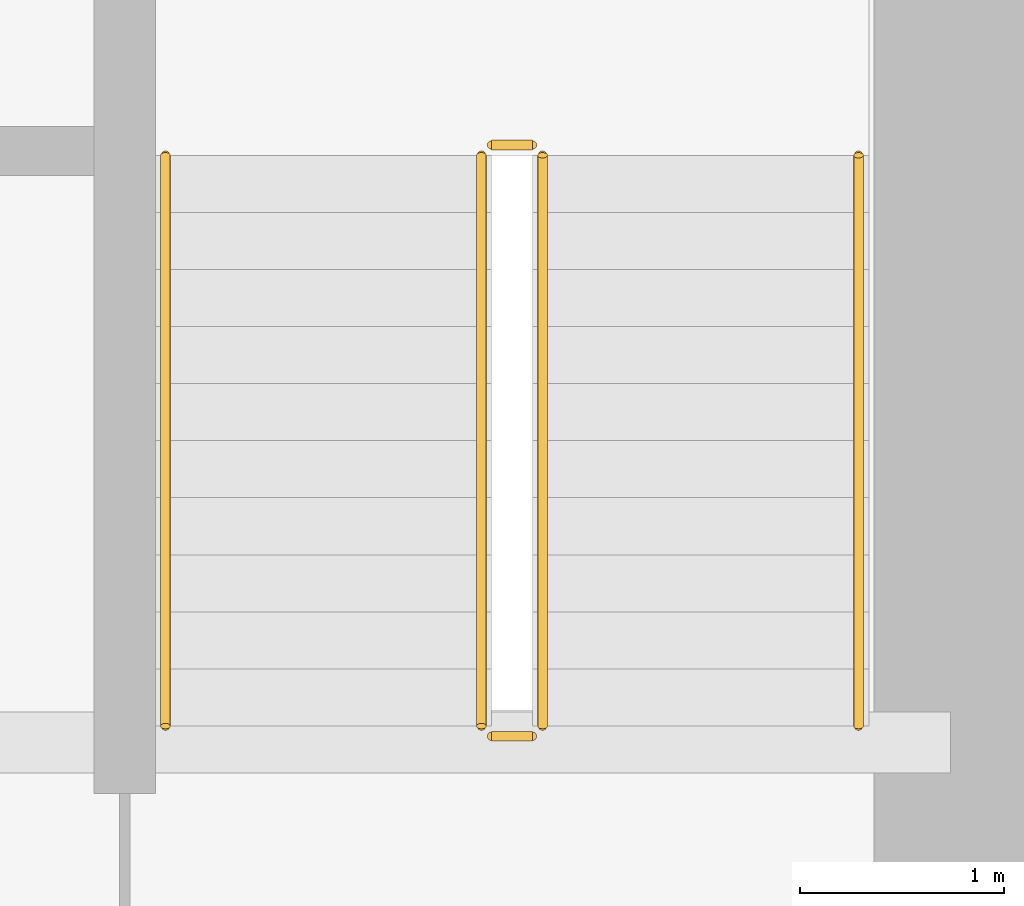
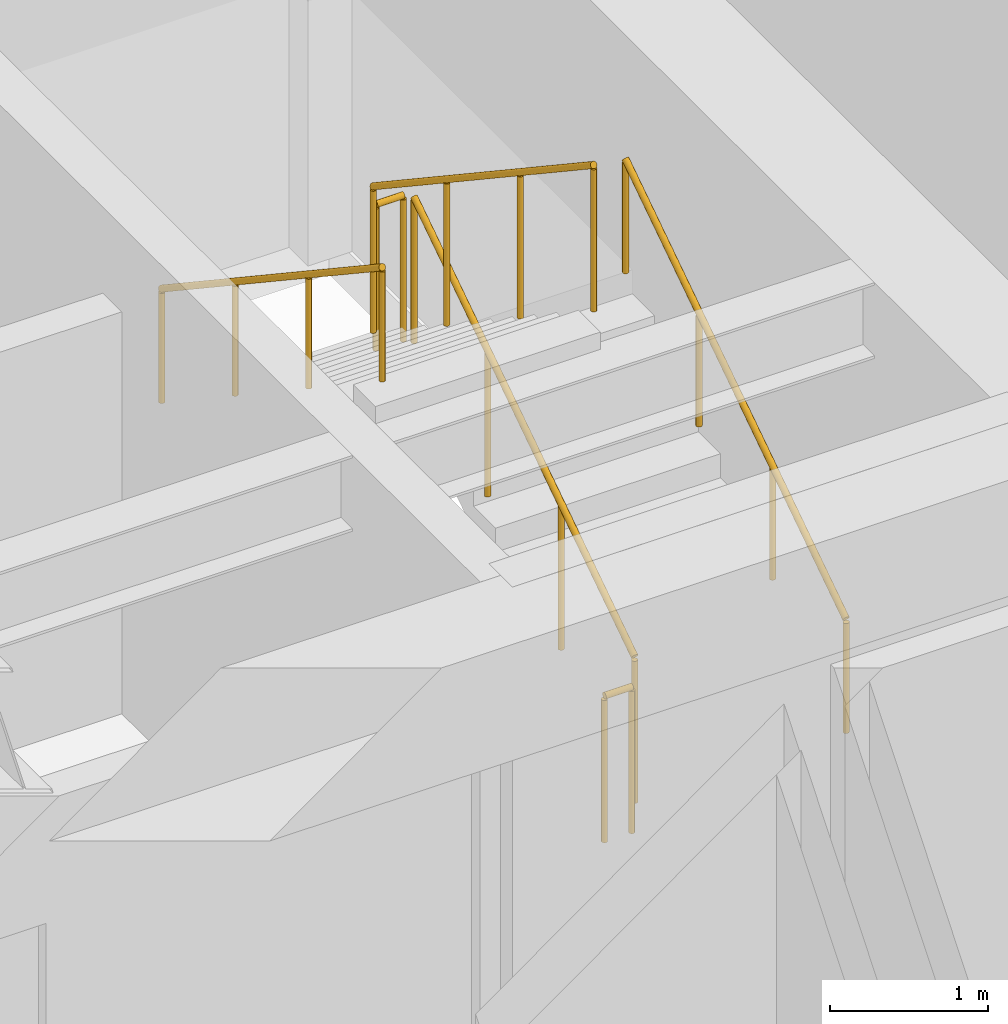
# One storey, part 35 of 35: 6 railings.
"""IFC4 building model written with IfcOpenShell, lengths in metres."""

from ifc_helpers import new_model, si_unit, direction, frame, origin, origin_2d, place, context, subcontext, project, spatial, circle, extrude, source, transform, mapped, material, type_object, type_shapes, element, save


model = new_model("IFC4")

# Units and contexts
model_context = context("Model", 3, precision=1e-05, world=origin(), true_north=direction((0.0, 1.0)))
body_context = subcontext(model_context, "Body", "Model", "MODEL_VIEW")
ifc_project = project(units=[si_unit("LENGTHUNIT", "METRE"), si_unit("AREAUNIT", "SQUARE_METRE"), si_unit("VOLUMEUNIT", "CUBIC_METRE"), si_unit("PLANEANGLEUNIT", "RADIAN"), si_unit("MASSUNIT", "GRAM", prefix="KILO")], contexts=[model_context])

# Site, building, storey
site_placement = place(None, origin())
site = spatial("IfcSite", under=ifc_project, at=site_placement, CompositionType="ELEMENT")
building_placement = place(site_placement, origin())
building = spatial("IfcBuilding", under=site, at=building_placement, Name="Haelvirn Gate Laboratories", CompositionType="ELEMENT")
storey_placement = place(building_placement, frame((0.0, 0.0, 90.800048828125)))
storey = spatial("IfcBuildingStorey", under=building, at=storey_placement, Name="L22", CompositionType="ELEMENT", Elevation=90.800048828125)

# Railings
ifc_material_1 = material(Name="Galvanised steel SM355 & stainless top rail", Category="steel")
railing_type_1 = type_object("IfcRailingType", Name="RL-GUARD-1150", PredefinedType="GUARDRAIL", material=ifc_material_1)
shared_shape_1 = source(origin(), body_context, "Body", "SweptSolid", [
    extrude(circle(Radius=0.02392578125, at=origin_2d()), frame((0.0, 0.0, 1.1259765625), z_axis=(0.0, 0.832452072856, 0.554097055034), x_axis=(-1.0, 0.0, 0.0)), (0.0, 0.0, 1.0), 3.363525390625),
    extrude(circle(Radius=0.02099609375, at=origin_2d()), origin(), (0.0, 0.0, 1.0), 1.101806640625),
    extrude(circle(Radius=0.02099609375, at=origin_2d()), frame((0.0, 0.933349609375, 0.621337890625)), (0.0, 0.0, 1.0), 1.101806640625),
    extrude(circle(Radius=0.02099609375, at=origin_2d()), frame((0.0, 1.86669921875, 1.242431640625)), (0.0, 0.0, 1.0), 1.101806640625),
    extrude(circle(Radius=0.02099609375, at=origin_2d()), frame((0.0, 2.800048828125, 1.86376953125)), (0.0, 0.0, 1.0), 1.101806640625),
])
railing_1_placement = place(storey_placement, frame((65.39990234375, 26.699951171875, 0.186279296875)))
element("IfcRailing", 1, at=railing_1_placement, inside=storey, type_object=railing_type_1, Name="L22 ST2 stair guard 1", PredefinedType="GUARDRAIL", context=body_context, shape_type="MappedRepresentation", body=[
    mapped(shared_shape_1, transform((0.0, 0.0, 0.0), scale=1.0)),
])
shared_shape_2 = source(origin(), body_context, "Body", "SweptSolid", [
    extrude(circle(Radius=0.02392578125, at=origin_2d()), frame((0.0, 0.0, 1.1259765625), z_axis=(0.0, -0.832485552168, 0.554046753832), x_axis=(1.0, 0.0, 0.0)), (0.0, 0.0, 1.0), 3.363525390625),
    extrude(circle(Radius=0.02099609375, at=origin_2d()), origin(), (0.0, 0.0, 1.0), 1.101806640625),
    extrude(circle(Radius=0.02099609375, at=origin_2d()), frame((0.0, -0.933349609375, 0.62109375)), (0.0, 0.0, 1.0), 1.101806640625),
    extrude(circle(Radius=0.02099609375, at=origin_2d()), frame((0.0, -1.86669921875, 1.242431640625)), (0.0, 0.0, 1.0), 1.101806640625),
    extrude(circle(Radius=0.02099609375, at=origin_2d()), frame((0.0, -2.800048828125, 1.863525390625)), (0.0, 0.0, 1.0), 1.101806640625),
])
railing_2_placement = place(storey_placement, frame((65.10009765625, 29.5, 2.236328125)))
element("IfcRailing", 2, at=railing_2_placement, inside=storey, type_object=railing_type_1, Name="L22 ST2 stair guard 3", PredefinedType="GUARDRAIL", context=body_context, shape_type="MappedRepresentation", body=[
    mapped(shared_shape_2, transform((0.0, 0.0, 0.0), scale=1.0)),
])
ifc_material_2 = material(Name="Brushed stainless steel 316L", Category="steel")
railing_type_2 = type_object("IfcRailingType", Name="RL-HAND-920", PredefinedType="HANDRAIL", material=ifc_material_2)
shared_shape_3 = source(origin(), body_context, "Body", "SweptSolid", [
    extrude(circle(Radius=0.02392578125, at=origin_2d()), frame((0.0, 0.0, 0.8759765625), z_axis=(0.0, 0.832452072856, 0.554097055034), x_axis=(-1.0, 0.0, 0.0)), (0.0, 0.0, 1.0), 3.363525390625),
    extrude(circle(Radius=0.02099609375, at=origin_2d()), origin(), (0.0, 0.0, 1.0), 0.851806640625),
    extrude(circle(Radius=0.02099609375, at=origin_2d()), frame((0.0, 0.933349609375, 0.621337890625)), (0.0, 0.0, 1.0), 0.851806640625),
    extrude(circle(Radius=0.02099609375, at=origin_2d()), frame((0.0, 1.86669921875, 1.242431640625)), (0.0, 0.0, 1.0), 0.851806640625),
    extrude(circle(Radius=0.02099609375, at=origin_2d()), frame((0.0, 2.800048828125, 1.86376953125)), (0.0, 0.0, 1.0), 0.851806640625),
])
railing_3_placement = place(storey_placement, frame((66.949951171875, 26.699951171875, 0.186279296875)))
element("IfcRailing", 3, at=railing_3_placement, inside=storey, type_object=railing_type_2, Name="L22 ST2 stair handrail 1", PredefinedType="HANDRAIL", context=body_context, shape_type="MappedRepresentation", body=[
    mapped(shared_shape_3, transform((0.0, 0.0, 0.0), scale=1.0)),
])
shared_shape_4 = source(origin(), body_context, "Body", "SweptSolid", [
    extrude(circle(Radius=0.02392578125, at=origin_2d()), frame((0.0, 0.0, 0.8759765625), z_axis=(0.0, -0.832485552168, 0.554046753832), x_axis=(1.0, 0.0, 0.0)), (0.0, 0.0, 1.0), 3.363525390625),
    extrude(circle(Radius=0.02099609375, at=origin_2d()), origin(), (0.0, 0.0, 1.0), 0.851806640625),
    extrude(circle(Radius=0.02099609375, at=origin_2d()), frame((0.0, -0.933349609375, 0.62109375)), (0.0, 0.0, 1.0), 0.851806640625),
    extrude(circle(Radius=0.02099609375, at=origin_2d()), frame((0.0, -1.86669921875, 1.242431640625)), (0.0, 0.0, 1.0), 0.851806640625),
    extrude(circle(Radius=0.02099609375, at=origin_2d()), frame((0.0, -2.800048828125, 1.863525390625)), (0.0, 0.0, 1.0), 0.851806640625),
])
type_shapes(railing_type_2, [shared_shape_3, shared_shape_4])
railing_4_placement = place(storey_placement, frame((63.550048828125, 29.5, 2.236328125)))
element("IfcRailing", 4, at=railing_4_placement, inside=storey, type_object=railing_type_2, Name="L22 ST2 stair handrail 2", PredefinedType="HANDRAIL", context=body_context, shape_type="MappedRepresentation", body=[
    mapped(shared_shape_4, transform((0.0, 0.0, 0.0), scale=1.0)),
])
shared_shape_5 = source(origin(), body_context, "Body", "SweptSolid", [
    extrude(circle(Radius=0.02392578125, at=origin_2d()), frame((0.0, 0.0, 1.1259765625), z_axis=(-1.0, 0.0, 0.0), x_axis=(0.0, -1.0, 0.0)), (0.0, 0.0, 1.0), 0.2001953125),
    extrude(circle(Radius=0.02099609375, at=origin_2d()), origin(), (0.0, 0.0, 1.0), 1.101806640625),
    extrude(circle(Radius=0.02099609375, at=origin_2d()), frame((-0.2001953125, 0.0, 0.0)), (0.0, 0.0, 1.0), 1.101806640625),
])
type_shapes(railing_type_1, [shared_shape_1, shared_shape_2, shared_shape_5])
for number, where, name in (
    (5, (65.35009765625, 29.550048828125, 2.050048828125), "L22 ST2 stair guard 2"),
    (6, (65.35009765625, 26.64990234375, 0.0), "L22 ST2 stair guard 4"),
):
    element("IfcRailing", number, at=place(storey_placement, frame(where)), inside=storey, type_object=railing_type_1, Name=name, PredefinedType="GUARDRAIL", context=body_context, shape_type="MappedRepresentation", body=[
        mapped(shared_shape_5, transform((0.0, 0.0, 0.0), scale=1.0)),
    ])

save(model, "model.ifc")
